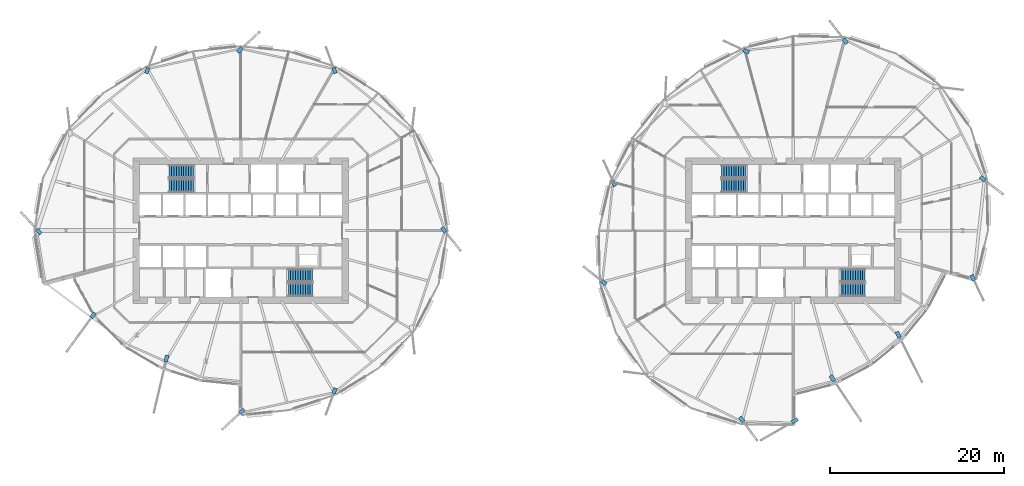
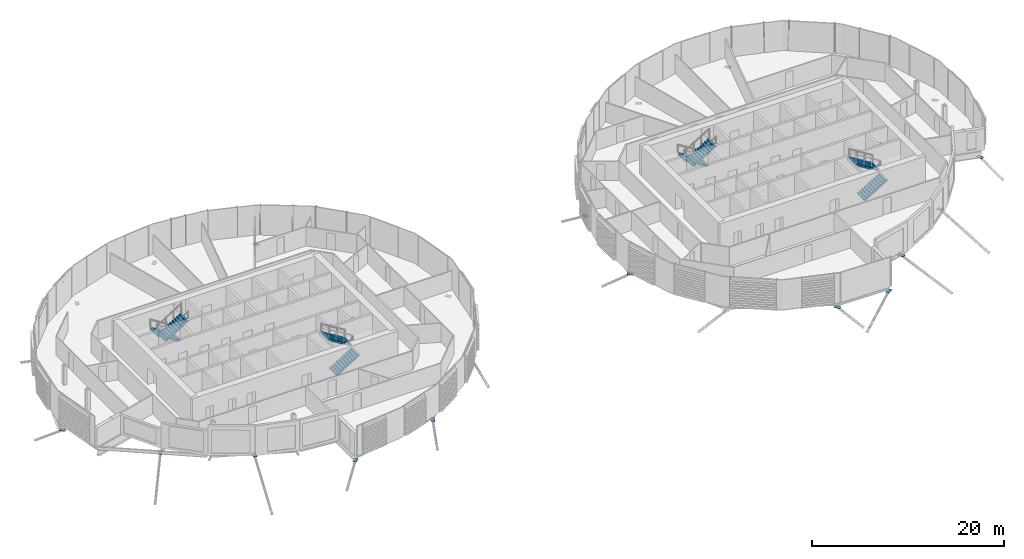
# One storey, part 28 of 42: 19 discrete accessories, 8 stair flights, 4 elements without a shape of their own.
"""IFC4 building model written with IfcOpenShell, lengths in metres."""

from ifc_helpers import new_model, si_unit, direction, frame, origin, origin_2d, place, context, subcontext, project, spatial, polyline, rectangle, outline, extrude, material, material_profile, profile_set, type_object, element, aggregate, save


model = new_model("IFC4")

# Units and contexts
model_context = context("Model", 3, precision=1e-05, world=origin(), true_north=direction((0.0, 1.0)))
body_context = subcontext(model_context, "Body", "Model", "MODEL_VIEW")
ifc_project = project(units=[si_unit("LENGTHUNIT", "METRE"), si_unit("AREAUNIT", "SQUARE_METRE"), si_unit("VOLUMEUNIT", "CUBIC_METRE"), si_unit("PLANEANGLEUNIT", "RADIAN"), si_unit("MASSUNIT", "GRAM", prefix="KILO")], contexts=[model_context])

# Site, building, storey
site_placement = place(None, origin())
site = spatial("IfcSite", under=ifc_project, at=site_placement, CompositionType="ELEMENT")
building_placement = place(site_placement, origin())
building = spatial("IfcBuilding", under=site, at=building_placement, Name="Rimbun Link Towers", CompositionType="ELEMENT")
storey_placement = place(building_placement, frame((0.0, 0.0, 85.39990234375)))
storey = spatial("IfcBuildingStorey", under=building, at=storey_placement, Name="L20", CompositionType="ELEMENT", Elevation=85.39990234375)

# Stair, stair flights
ifc_material_1 = material(Name="Concrete C40/50", Category="concrete")
stair_type = type_object("IfcStairType", Name="Exit stair 3800 rise", PredefinedType="HALF_TURN_STAIR", material=ifc_material_1)
stair_1_placement = place(storey_placement, origin())
stair_1 = element("IfcStair", 1, at=stair_1_placement, inside=storey, type_object=stair_type, Name="L20 EXIT STAIR A", PredefinedType="HALF_TURN_STAIR")
ifc_material_2 = material(Name="Concrete C40/50", Category="concrete")
stair_flight_type = type_object("IfcStairFlightType", Name="Exit stair flight 3800 rise", PredefinedType="STRAIGHT", material=ifc_material_2)
stair_flight_1_placement = place(storey_placement, frame((-37.199951171875, 6.800048828125, 0.0), z_axis=(0.0, 0.0, 1.0), x_axis=(-1.0, 0.0, 0.0)))
stair_flight_1 = element("IfcStairFlight", 2, at=stair_flight_1_placement, type_object=stair_flight_type, Name="ST1 flight 1", NumberOfRisers=11, NumberOfTreads=10, PredefinedType="STRAIGHT", RiserHeight=0.172727273, TreadLength=0.28, context=body_context, shape_type="SweptSolid", body=[
    extrude(outline(polyline([(0.0, 0.0), (0.0, 0.172607421875), (0.280029296875, 0.172607421875), (0.280029296875, 0.345458984375), (0.56005859375, 0.345458984375), (0.56005859375, 0.51806640625), (0.840087890625, 0.51806640625), (0.840087890625, 0.69091796875), (1.1201171875, 0.69091796875), (1.1201171875, 0.863525390625), (1.39990234375, 0.863525390625), (1.39990234375, 1.036376953125), (1.679931640625, 1.036376953125), (1.679931640625, 1.208984375), (1.9599609375, 1.208984375), (1.9599609375, 1.3818359375), (2.239990234375, 1.3818359375), (2.239990234375, 1.554443359375), (2.52001953125, 1.554443359375), (2.52001953125, 1.727294921875), (2.800048828125, 1.727294921875), (2.800048828125, 1.89990234375), (2.800048828125, 1.551025390625), (0.280029296875, 0.0), (0.0, 0.0)])), frame((0.0, 0.75, 0.0), z_axis=(0.0, -1.0, 0.0), x_axis=(1.0, 0.0, 0.0)), (0.0, 0.0, 1.0), 1.5),
])
stair_flight_2_placement = place(storey_placement, frame((-40.0, 5.14990234375, 1.900146484375), z_axis=(0.0, 0.0, 1.0), x_axis=(1.0, 0.0, 0.0)))
stair_flight_2 = element("IfcStairFlight", 3, at=stair_flight_2_placement, type_object=stair_flight_type, Name="ST1 flight 2", NumberOfRisers=11, NumberOfTreads=10, PredefinedType="STRAIGHT", RiserHeight=0.172727273, TreadLength=0.28, context=body_context, shape_type="SweptSolid", body=[
    extrude(outline(polyline([(0.0, 0.0), (0.0, 0.172607421875), (0.280029296875, 0.172607421875), (0.280029296875, 0.345458984375), (0.56005859375, 0.345458984375), (0.56005859375, 0.51806640625), (0.840087890625, 0.51806640625), (0.840087890625, 0.69091796875), (1.1201171875, 0.69091796875), (1.1201171875, 0.863525390625), (1.39990234375, 0.863525390625), (1.39990234375, 1.036376953125), (1.679931640625, 1.036376953125), (1.679931640625, 1.208984375), (1.9599609375, 1.208984375), (1.9599609375, 1.3818359375), (2.239990234375, 1.3818359375), (2.239990234375, 1.554443359375), (2.52001953125, 1.554443359375), (2.52001953125, 1.727294921875), (2.800048828125, 1.727294921875), (2.800048828125, 1.89990234375), (2.800048828125, 1.551025390625), (0.280029296875, 0.0), (0.0, 0.0)])), frame((0.0, 0.75, 0.0), z_axis=(0.0, -1.0, 0.0), x_axis=(1.0, 0.0, 0.0)), (0.0, 0.0, 1.0), 1.5),
])
aggregate(stair_1, [stair_flight_1, stair_flight_2])

stair_2_placement = place(storey_placement, origin())
stair_2 = element("IfcStair", 4, at=stair_2_placement, inside=storey, type_object=stair_type, Name="L20 EXIT STAIR B", PredefinedType="HALF_TURN_STAIR")
stair_flight_3_placement = place(storey_placement, frame((-26.300048828125, -6.800048828125, 0.0), z_axis=(0.0, 0.0, 1.0), x_axis=(1.0, 0.0, 0.0)))
stair_flight_3 = element("IfcStairFlight", 5, at=stair_flight_3_placement, type_object=stair_flight_type, Name="ST2 flight 1", NumberOfRisers=11, NumberOfTreads=10, PredefinedType="STRAIGHT", RiserHeight=0.172727273, TreadLength=0.28, context=body_context, shape_type="SweptSolid", body=[
    extrude(outline(polyline([(0.0, 0.0), (0.0, 0.172607421875), (0.280029296875, 0.172607421875), (0.280029296875, 0.345458984375), (0.56005859375, 0.345458984375), (0.56005859375, 0.51806640625), (0.840087890625, 0.51806640625), (0.840087890625, 0.69091796875), (1.1201171875, 0.69091796875), (1.1201171875, 0.863525390625), (1.39990234375, 0.863525390625), (1.39990234375, 1.036376953125), (1.679931640625, 1.036376953125), (1.679931640625, 1.208984375), (1.9599609375, 1.208984375), (1.9599609375, 1.3818359375), (2.239990234375, 1.3818359375), (2.239990234375, 1.554443359375), (2.52001953125, 1.554443359375), (2.52001953125, 1.727294921875), (2.800048828125, 1.727294921875), (2.800048828125, 1.89990234375), (2.800048828125, 1.551025390625), (0.280029296875, 0.0), (0.0, 0.0)])), frame((0.0, 0.75, 0.0), z_axis=(0.0, -1.0, 0.0), x_axis=(1.0, 0.0, 0.0)), (0.0, 0.0, 1.0), 1.5),
])
stair_flight_4_placement = place(storey_placement, frame((-23.5, -5.14990234375, 1.900146484375), z_axis=(0.0, 0.0, 1.0), x_axis=(-1.0, 0.0, 0.0)))
stair_flight_4 = element("IfcStairFlight", 6, at=stair_flight_4_placement, type_object=stair_flight_type, Name="ST2 flight 2", NumberOfRisers=11, NumberOfTreads=10, PredefinedType="STRAIGHT", RiserHeight=0.172727273, TreadLength=0.28, context=body_context, shape_type="SweptSolid", body=[
    extrude(outline(polyline([(0.0, 0.0), (0.0, 0.172607421875), (0.280029296875, 0.172607421875), (0.280029296875, 0.345458984375), (0.56005859375, 0.345458984375), (0.56005859375, 0.51806640625), (0.840087890625, 0.51806640625), (0.840087890625, 0.69091796875), (1.1201171875, 0.69091796875), (1.1201171875, 0.863525390625), (1.39990234375, 0.863525390625), (1.39990234375, 1.036376953125), (1.679931640625, 1.036376953125), (1.679931640625, 1.208984375), (1.9599609375, 1.208984375), (1.9599609375, 1.3818359375), (2.239990234375, 1.3818359375), (2.239990234375, 1.554443359375), (2.52001953125, 1.554443359375), (2.52001953125, 1.727294921875), (2.800048828125, 1.727294921875), (2.800048828125, 1.89990234375), (2.800048828125, 1.551025390625), (0.280029296875, 0.0), (0.0, 0.0)])), frame((0.0, 0.75, 0.0), z_axis=(0.0, -1.0, 0.0), x_axis=(1.0, 0.0, 0.0)), (0.0, 0.0, 1.0), 1.5),
])
aggregate(stair_2, [stair_flight_3, stair_flight_4])

stair_3_placement = place(storey_placement, origin())
stair_3 = element("IfcStair", 7, at=stair_3_placement, inside=storey, type_object=stair_type, Name="L20 EXIT STAIR A", PredefinedType="HALF_TURN_STAIR")
stair_flight_5_placement = place(storey_placement, frame((26.300048828125, 6.800048828125, 0.0), z_axis=(0.0, 0.0, 1.0), x_axis=(-1.0, 0.0, 0.0)))
stair_flight_5 = element("IfcStairFlight", 8, at=stair_flight_5_placement, type_object=stair_flight_type, Name="ST3 flight 1", NumberOfRisers=11, NumberOfTreads=10, PredefinedType="STRAIGHT", RiserHeight=0.172727273, TreadLength=0.28, context=body_context, shape_type="SweptSolid", body=[
    extrude(outline(polyline([(0.0, 0.0), (0.0, 0.172607421875), (0.280029296875, 0.172607421875), (0.280029296875, 0.345458984375), (0.56005859375, 0.345458984375), (0.56005859375, 0.51806640625), (0.840087890625, 0.51806640625), (0.840087890625, 0.69091796875), (1.1201171875, 0.69091796875), (1.1201171875, 0.863525390625), (1.39990234375, 0.863525390625), (1.39990234375, 1.036376953125), (1.679931640625, 1.036376953125), (1.679931640625, 1.208984375), (1.9599609375, 1.208984375), (1.9599609375, 1.3818359375), (2.239990234375, 1.3818359375), (2.239990234375, 1.554443359375), (2.52001953125, 1.554443359375), (2.52001953125, 1.727294921875), (2.800048828125, 1.727294921875), (2.800048828125, 1.89990234375), (2.800048828125, 1.551025390625), (0.280029296875, 0.0), (0.0, 0.0)])), frame((0.0, 0.75, 0.0), z_axis=(0.0, -1.0, 0.0), x_axis=(1.0, 0.0, 0.0)), (0.0, 0.0, 1.0), 1.5),
])
stair_flight_6_placement = place(storey_placement, frame((23.5, 5.14990234375, 1.900146484375), z_axis=(0.0, 0.0, 1.0), x_axis=(1.0, 0.0, 0.0)))
stair_flight_6 = element("IfcStairFlight", 9, at=stair_flight_6_placement, type_object=stair_flight_type, Name="ST3 flight 2", NumberOfRisers=11, NumberOfTreads=10, PredefinedType="STRAIGHT", RiserHeight=0.172727273, TreadLength=0.28, context=body_context, shape_type="SweptSolid", body=[
    extrude(outline(polyline([(0.0, 0.0), (0.0, 0.172607421875), (0.280029296875, 0.172607421875), (0.280029296875, 0.345458984375), (0.56005859375, 0.345458984375), (0.56005859375, 0.51806640625), (0.840087890625, 0.51806640625), (0.840087890625, 0.69091796875), (1.1201171875, 0.69091796875), (1.1201171875, 0.863525390625), (1.39990234375, 0.863525390625), (1.39990234375, 1.036376953125), (1.679931640625, 1.036376953125), (1.679931640625, 1.208984375), (1.9599609375, 1.208984375), (1.9599609375, 1.3818359375), (2.239990234375, 1.3818359375), (2.239990234375, 1.554443359375), (2.52001953125, 1.554443359375), (2.52001953125, 1.727294921875), (2.800048828125, 1.727294921875), (2.800048828125, 1.89990234375), (2.800048828125, 1.551025390625), (0.280029296875, 0.0), (0.0, 0.0)])), frame((0.0, 0.75, 0.0), z_axis=(0.0, -1.0, 0.0), x_axis=(1.0, 0.0, 0.0)), (0.0, 0.0, 1.0), 1.5),
])
aggregate(stair_3, [stair_flight_5, stair_flight_6])

stair_4_placement = place(storey_placement, origin())
stair_4 = element("IfcStair", 10, at=stair_4_placement, inside=storey, type_object=stair_type, Name="L20 EXIT STAIR B", PredefinedType="HALF_TURN_STAIR")
stair_flight_7_placement = place(storey_placement, frame((37.199951171875, -6.800048828125, 0.0), z_axis=(0.0, 0.0, 1.0), x_axis=(1.0, 0.0, 0.0)))
stair_flight_7 = element("IfcStairFlight", 11, at=stair_flight_7_placement, type_object=stair_flight_type, Name="ST4 flight 1", NumberOfRisers=11, NumberOfTreads=10, PredefinedType="STRAIGHT", RiserHeight=0.172727273, TreadLength=0.28, context=body_context, shape_type="SweptSolid", body=[
    extrude(outline(polyline([(0.0, 0.0), (0.0, 0.172607421875), (0.280029296875, 0.172607421875), (0.280029296875, 0.345458984375), (0.56005859375, 0.345458984375), (0.56005859375, 0.51806640625), (0.840087890625, 0.51806640625), (0.840087890625, 0.69091796875), (1.1201171875, 0.69091796875), (1.1201171875, 0.863525390625), (1.39990234375, 0.863525390625), (1.39990234375, 1.036376953125), (1.679931640625, 1.036376953125), (1.679931640625, 1.208984375), (1.9599609375, 1.208984375), (1.9599609375, 1.3818359375), (2.239990234375, 1.3818359375), (2.239990234375, 1.554443359375), (2.52001953125, 1.554443359375), (2.52001953125, 1.727294921875), (2.800048828125, 1.727294921875), (2.800048828125, 1.89990234375), (2.800048828125, 1.551025390625), (0.280029296875, 0.0), (0.0, 0.0)])), frame((0.0, 0.75, 0.0), z_axis=(0.0, -1.0, 0.0), x_axis=(1.0, 0.0, 0.0)), (0.0, 0.0, 1.0), 1.5),
])
stair_flight_8_placement = place(storey_placement, frame((40.0, -5.14990234375, 1.900146484375), z_axis=(0.0, 0.0, 1.0), x_axis=(-1.0, 0.0, 0.0)))
stair_flight_8 = element("IfcStairFlight", 12, at=stair_flight_8_placement, type_object=stair_flight_type, Name="ST4 flight 2", NumberOfRisers=11, NumberOfTreads=10, PredefinedType="STRAIGHT", RiserHeight=0.172727273, TreadLength=0.28, context=body_context, shape_type="SweptSolid", body=[
    extrude(outline(polyline([(0.0, 0.0), (0.0, 0.172607421875), (0.280029296875, 0.172607421875), (0.280029296875, 0.345458984375), (0.56005859375, 0.345458984375), (0.56005859375, 0.51806640625), (0.840087890625, 0.51806640625), (0.840087890625, 0.69091796875), (1.1201171875, 0.69091796875), (1.1201171875, 0.863525390625), (1.39990234375, 0.863525390625), (1.39990234375, 1.036376953125), (1.679931640625, 1.036376953125), (1.679931640625, 1.208984375), (1.9599609375, 1.208984375), (1.9599609375, 1.3818359375), (2.239990234375, 1.3818359375), (2.239990234375, 1.554443359375), (2.52001953125, 1.554443359375), (2.52001953125, 1.727294921875), (2.800048828125, 1.727294921875), (2.800048828125, 1.89990234375), (2.800048828125, 1.551025390625), (0.280029296875, 0.0), (0.0, 0.0)])), frame((0.0, 0.75, 0.0), z_axis=(0.0, -1.0, 0.0), x_axis=(1.0, 0.0, 0.0)), (0.0, 0.0, 1.0), 1.5),
])
aggregate(stair_4, [stair_flight_7, stair_flight_8])

# Discrete accessories
ifc_material_3 = material(Name="Steel S355J2H", Category="steel")
ifc_material_profile = material_profile(ifc_material_3, rectangle(XDim=0.43310546875, YDim=0.43310546875, at=origin_2d()), Name="PL 433x433")
ifc_profile_set = profile_set([ifc_material_profile], Name="Steel S355J2H")
discrete_accessory_type = type_object("IfcDiscreteAccessoryType", Name="Link head end plate 433X20", PredefinedType="BRACKET", material=ifc_profile_set)
discrete_accessory_1_placement = place(storey_placement, frame((0.0, 0.0, -0.782470703125)))
element("IfcDiscreteAccessory", 13, at=discrete_accessory_1_placement, inside=storey, type_object=discrete_accessory_type, Name="Link head end plate T1 L20 00", PredefinedType="BRACKET", context=body_context, shape_type="SweptSolid", body=[
    extrude(outline(polyline([(-8.80908203125, 0.22900390625), (-8.400146484375, -0.280029296875), (-8.0625, -0.0087890625), (-8.4716796875, 0.5), (-8.80908203125, 0.22900390625)])), origin(), (0.0, 0.0, 1.0), 0.02001953125),
])
discrete_accessory_2_placement = place(storey_placement, frame((0.0, 0.0, -0.86328125)))
element("IfcDiscreteAccessory", 14, at=discrete_accessory_2_placement, inside=storey, type_object=discrete_accessory_type, Name="Link head end plate T1 L20 04", PredefinedType="BRACKET", context=body_context, shape_type="SweptSolid", body=[
    extrude(outline(polyline([(-20.66748046875, 18.1611328125), (-20.90087890625, 18.79638671875), (-21.307373046875, 18.647216796875), (-21.07421875, 18.01171875), (-20.66748046875, 18.1611328125)])), origin(), (0.0, 0.0, 1.0), 0.019775390625),
])
discrete_accessory_3_placement = place(storey_placement, frame((0.0, 0.0, -0.86328125)))
element("IfcDiscreteAccessory", 15, at=discrete_accessory_3_placement, inside=storey, type_object=discrete_accessory_type, Name="Link head end plate T1 L20 06", PredefinedType="BRACKET", context=body_context, shape_type="SweptSolid", body=[
    extrude(outline(polyline([(-31.978515625, 20.3583984375), (-31.468505859375, 20.830078125), (-31.762451171875, 21.14794921875), (-32.2724609375, 20.676513671875), (-31.978515625, 20.3583984375)])), origin(), (0.0, 0.0, 1.0), 0.019775390625),
])
discrete_accessory_4_placement = place(storey_placement, frame((0.0, 0.0, -0.86328125)))
element("IfcDiscreteAccessory", 16, at=discrete_accessory_4_placement, inside=storey, type_object=discrete_accessory_type, Name="Link head end plate T1 L20 08", PredefinedType="BRACKET", context=body_context, shape_type="SweptSolid", body=[
    extrude(outline(polyline([(-42.42578125, 18.01171875), (-42.192626953125, 18.647216796875), (-42.59912109375, 18.79638671875), (-42.83251953125, 18.1611328125), (-42.42578125, 18.01171875)])), origin(), (0.0, 0.0, 1.0), 0.019775390625),
])
discrete_accessory_5_placement = place(storey_placement, frame((0.0, 0.0, -1.3798828125)))
element("IfcDiscreteAccessory", 17, at=discrete_accessory_5_placement, inside=storey, type_object=discrete_accessory_type, Name="Link head end plate T1 L20 12", PredefinedType="BRACKET", context=body_context, shape_type="SweptSolid", body=[
    extrude(outline(polyline([(-54.578369140625, -0.20458984375), (-55.027587890625, 0.28271484375), (-55.345947265625, -0.0107421875), (-54.896728515625, -0.498046875), (-54.578369140625, -0.20458984375)])), origin(), (0.0, 0.0, 1.0), 0.02001953125),
])
discrete_accessory_6_placement = place(storey_placement, frame((0.0, 0.0, -0.63330078125)))
element("IfcDiscreteAccessory", 18, at=discrete_accessory_6_placement, inside=storey, type_object=discrete_accessory_type, Name="Link head end plate T1 L20 14", PredefinedType="BRACKET", context=body_context, shape_type="SweptSolid", body=[
    extrude(outline(polyline([(-48.70458984375, -9.311279296875), (-49.12451171875, -9.887451171875), (-48.7744140625, -10.142333984375), (-48.354736328125, -9.56640625), (-48.70458984375, -9.311279296875)])), origin(), (0.0, 0.0, 1.0), 0.02001953125),
])
discrete_accessory_7_placement = place(storey_placement, frame((0.0, 0.0, -0.86328125)))
element("IfcDiscreteAccessory", 19, at=discrete_accessory_7_placement, inside=storey, type_object=discrete_accessory_type, Name="Link head end plate T1 L20 16", PredefinedType="BRACKET", context=body_context, shape_type="SweptSolid", body=[
    extrude(outline(polyline([(-40.42529296875, -14.272216796875), (-40.6005859375, -15.018310546875), (-40.178955078125, -15.1171875), (-40.00390625, -14.37109375), (-40.42529296875, -14.272216796875)])), origin(), (0.0, 0.0, 1.0), 0.019775390625),
])
discrete_accessory_8_placement = place(storey_placement, frame((0.0, 0.0, -0.86328125)))
element("IfcDiscreteAccessory", 20, at=discrete_accessory_8_placement, inside=storey, type_object=discrete_accessory_type, Name="Link head end plate T1 L20 18", PredefinedType="BRACKET", context=body_context, shape_type="SweptSolid", body=[
    extrude(outline(polyline([(-31.521484375, -20.3583984375), (-32.031494140625, -20.830078125), (-31.737548828125, -21.14794921875), (-31.2275390625, -20.676513671875), (-31.521484375, -20.3583984375)])), origin(), (0.0, 0.0, 1.0), 0.019775390625),
])
discrete_accessory_9_placement = place(storey_placement, frame((0.0, 0.0, -0.86328125)))
element("IfcDiscreteAccessory", 21, at=discrete_accessory_9_placement, inside=storey, type_object=discrete_accessory_type, Name="Link head end plate T1 L20 20", PredefinedType="BRACKET", context=body_context, shape_type="SweptSolid", body=[
    extrude(outline(polyline([(-21.07421875, -18.01171875), (-21.307373046875, -18.647216796875), (-20.90087890625, -18.79638671875), (-20.66748046875, -18.1611328125), (-21.07421875, -18.01171875)])), origin(), (0.0, 0.0, 1.0), 0.019775390625),
])
discrete_accessory_10_placement = place(storey_placement, frame((0.0, 0.0, -0.942138671875)))
element("IfcDiscreteAccessory", 22, at=discrete_accessory_10_placement, inside=storey, type_object=discrete_accessory_type, Name="Link head end plate T2 L20 02", PredefinedType="BRACKET", context=body_context, shape_type="SweptSolid", body=[
    extrude(outline(polyline([(38.097900390625, 21.64208984375), (37.678466796875, 22.183837890625), (37.3359375, 21.918701171875), (37.75537109375, 21.377197265625), (38.097900390625, 21.64208984375)])), origin(), (0.0, 0.0, 1.0), 0.02001953125),
])
discrete_accessory_11_placement = place(storey_placement, frame((0.0, 0.0, -0.86328125)))
element("IfcDiscreteAccessory", 23, at=discrete_accessory_11_placement, inside=storey, type_object=discrete_accessory_type, Name="Link head end plate T2 L20 04", PredefinedType="BRACKET", context=body_context, shape_type="SweptSolid", body=[
    extrude(outline(polyline([(26.74462890625, 20.678466796875), (26.13037109375, 20.962646484375), (25.948486328125, 20.569580078125), (26.562744140625, 20.285400390625), (26.74462890625, 20.678466796875)])), origin(), (0.0, 0.0, 1.0), 0.019775390625),
])
discrete_accessory_12_placement = place(storey_placement, frame((0.0, 0.0, -0.63330078125)))
element("IfcDiscreteAccessory", 24, at=discrete_accessory_12_placement, inside=storey, type_object=discrete_accessory_type, Name="Link head end plate T2 L20 08", PredefinedType="BRACKET", context=body_context, shape_type="SweptSolid", body=[
    extrude(outline(polyline([(11.452880859375, 5.20068359375), (11.1826171875, 5.80126953125), (10.78759765625, 5.62353515625), (11.05810546875, 5.022705078125), (11.452880859375, 5.20068359375)])), origin(), (0.0, 0.0, 1.0), 0.02001953125),
])
discrete_accessory_13_placement = place(storey_placement, frame((0.0, 0.0, -0.712890625)))
element("IfcDiscreteAccessory", 25, at=discrete_accessory_13_placement, inside=storey, type_object=discrete_accessory_type, Name="Link head end plate T2 L20 10", PredefinedType="BRACKET", context=body_context, shape_type="SweptSolid", body=[
    extrude(outline(polyline([(10.35595703125, -5.998779296875), (9.83349609375, -5.585205078125), (9.564697265625, -5.9248046875), (10.087158203125, -6.33837890625), (10.35595703125, -5.998779296875)])), origin(), (0.0, 0.0, 1.0), 0.019775390625),
])
discrete_accessory_14_placement = place(storey_placement, frame((0.0, 0.0, -0.942138671875)))
element("IfcDiscreteAccessory", 26, at=discrete_accessory_14_placement, inside=storey, type_object=discrete_accessory_type, Name="Link head end plate T2 L20 14", PredefinedType="BRACKET", context=body_context, shape_type="SweptSolid", body=[
    extrude(outline(polyline([(25.427978515625, -21.53564453125), (25.8388671875, -22.0927734375), (26.187255859375, -21.835693359375), (25.776611328125, -21.278564453125), (25.427978515625, -21.53564453125)])), origin(), (0.0, 0.0, 1.0), 0.02001953125),
])
discrete_accessory_15_placement = place(storey_placement, frame((0.0, 0.0, -0.942138671875)))
element("IfcDiscreteAccessory", 27, at=discrete_accessory_15_placement, inside=storey, type_object=discrete_accessory_type, Name="Link head end plate T2 L20 15", PredefinedType="BRACKET", context=body_context, shape_type="SweptSolid", body=[
    extrude(outline(polyline([(32.115478515625, -21.471435546875), (31.4853515625, -21.83349609375), (31.701171875, -22.208984375), (32.331298828125, -21.846923828125), (32.115478515625, -21.471435546875)])), origin(), (0.0, 0.0, 1.0), 0.02001953125),
])
discrete_accessory_16_placement = place(storey_placement, frame((0.0, 0.0, -0.86328125)))
element("IfcDiscreteAccessory", 28, at=discrete_accessory_16_placement, inside=storey, type_object=discrete_accessory_type, Name="Link head end plate T2 L20 16", PredefinedType="BRACKET", context=body_context, shape_type="SweptSolid", body=[
    extrude(outline(polyline([(35.83544921875, -16.76318359375), (36.258544921875, -17.392822265625), (36.617919921875, -17.1513671875), (36.19482421875, -16.521728515625), (35.83544921875, -16.76318359375)])), origin(), (0.0, 0.0, 1.0), 0.019775390625),
])
discrete_accessory_17_placement = place(storey_placement, frame((0.0, 0.0, -0.712890625)))
element("IfcDiscreteAccessory", 29, at=discrete_accessory_17_placement, inside=storey, type_object=discrete_accessory_type, Name="Link head end plate T2 L20 18", PredefinedType="BRACKET", context=body_context, shape_type="SweptSolid", body=[
    extrude(outline(polyline([(43.446533203125, -11.736083984375), (43.78173828125, -12.402099609375), (44.16845703125, -12.20751953125), (43.83349609375, -11.54150390625), (43.446533203125, -11.736083984375)])), origin(), (0.0, 0.0, 1.0), 0.019775390625),
])
discrete_accessory_18_placement = place(storey_placement, frame((0.0, 0.0, -1.0205078125)))
element("IfcDiscreteAccessory", 30, at=discrete_accessory_18_placement, inside=storey, type_object=discrete_accessory_type, Name="Link head end plate T2 L20 20", PredefinedType="BRACKET", context=body_context, shape_type="SweptSolid", body=[
    extrude(outline(polyline([(52.026611328125, -5.177001953125), (52.3212890625, -5.802001953125), (52.712890625, -5.6171875), (52.418212890625, -4.9921875), (52.026611328125, -5.177001953125)])), origin(), (0.0, 0.0, 1.0), 0.02001953125),
])
discrete_accessory_19_placement = place(storey_placement, frame((0.0, 0.0, -1.098388671875)))
element("IfcDiscreteAccessory", 31, at=discrete_accessory_19_placement, inside=storey, type_object=discrete_accessory_type, Name="Link head end plate T2 L20 22", PredefinedType="BRACKET", context=body_context, shape_type="SweptSolid", body=[
    extrude(outline(polyline([(53.114013671875, 6.010498046875), (53.67041015625, 5.58642578125), (53.932861328125, 5.930908203125), (53.376708984375, 6.35498046875), (53.114013671875, 6.010498046875)])), origin(), (0.0, 0.0, 1.0), 0.02001953125),
])

save(model, "model.ifc")
